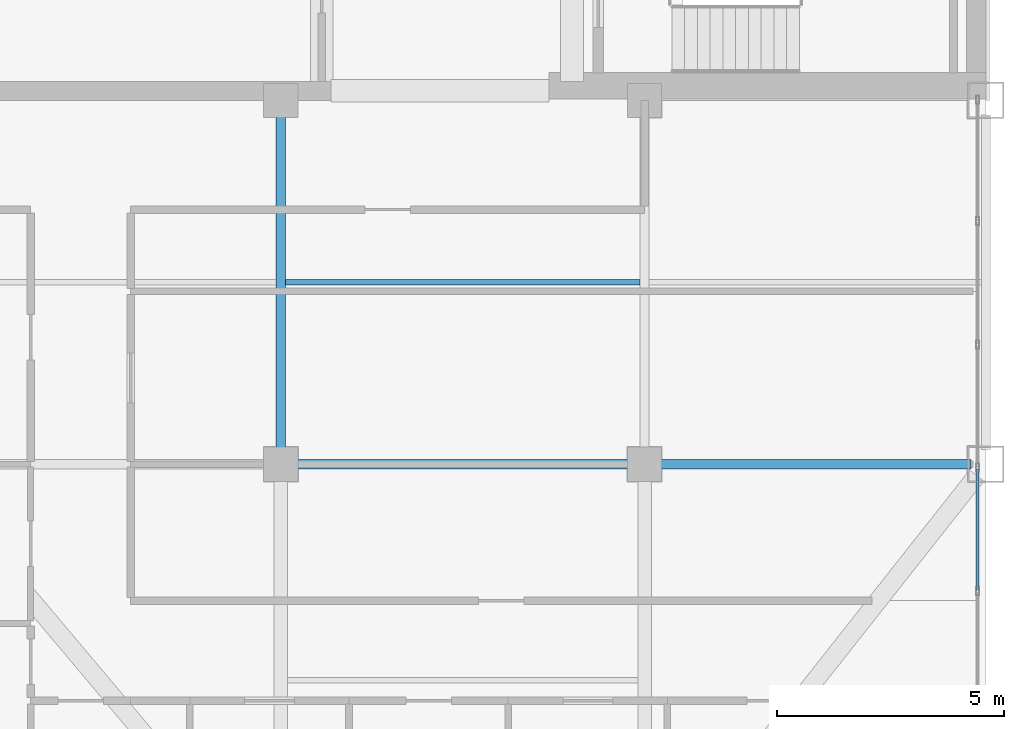
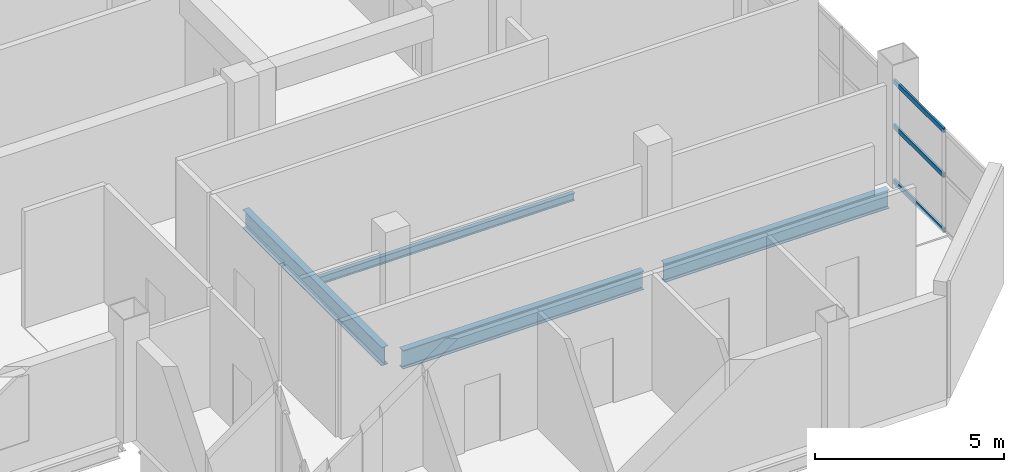
# One storey, part 3 of 13: 4 beams, 3 members, 1 element without a shape of its own.
"""IFC4 building model written with IfcOpenShell, lengths in metres."""

import ifcopenshell
import ifcopenshell.guid

model = None  # the IFC model being written
_history = None  # IfcOwnerHistory: only IFC2X3 demands one
_inside = {}  # id of a spatial element -> (the spatial element, [elements in it])
_under = {}  # id of a project, library or spatial element -> (it, [spatial elements below it])
_declared = {}  # id of a project -> (the project, [libraries it declares])
_typed = {}  # id of a type object -> (the type object, [elements of that type])
_made_of = {}  # id of a material, layer set ... -> (it, [elements and type objects made of it])


def new_model(schema):
    """Start an empty IFC model of exactly this schema.

    Asked for "IFC4X3", IfcOpenShell would pick the latest addendum, in which some entities
    have other attributes; the version numbers below select the first issue.
    IFC2X3 requires an IfcOwnerHistory on every rooted entity: one is made here for all.
    """
    global model, _history
    if schema == "IFC4X3":
        model = ifcopenshell.file(schema_version=(4, 3, 0, 0))
    else:
        model = ifcopenshell.file(schema=schema)
    _inside.clear()
    _under.clear()
    _declared.clear()
    _typed.clear()
    _made_of.clear()
    _history = None
    if model.schema == "IFC2X3":
        org = make("IfcOrganization", Name="unknown")
        user = make(
            "IfcPersonAndOrganization",
            ThePerson=make("IfcPerson", FamilyName="unknown"),
            TheOrganization=org,
        )
        app = make(
            "IfcApplication",
            ApplicationDeveloper=org,
            Version="unknown",
            ApplicationFullName="unknown",
            ApplicationIdentifier="unknown",
        )
        _history = make(
            "IfcOwnerHistory",
            OwningUser=user,
            OwningApplication=app,
            ChangeAction="ADDED",
            CreationDate=0,
        )
    return model


def make(cls, **values):
    """One entity of the class cls with the attributes given. An attribute that is None is left unset."""
    return model.create_entity(
        cls, **{name: value for name, value in values.items() if value is not None}
    )


def rooted(cls, **values):
    """An entity with a GlobalId (a new one), such as an element, a storey or a relation."""
    return make(cls, GlobalId=ifcopenshell.guid.new(), OwnerHistory=_history, **values)


def si_unit(unit_type, name, prefix=None):
    """IfcSIUnit, for example si_unit("LENGTHUNIT", "METRE", prefix="MILLI")."""
    return make("IfcSIUnit", UnitType=unit_type, Prefix=prefix, Name=name)


def assignment(units):
    """IfcUnitAssignment: the units of a project."""
    return None if units is None else make("IfcUnitAssignment", Units=units)


def point(xyz):
    """IfcCartesianPoint."""
    return None if xyz is None else make("IfcCartesianPoint", Coordinates=xyz)


def direction(xyz):
    """IfcDirection."""
    return None if xyz is None else make("IfcDirection", DirectionRatios=xyz)


def frame(location, z_axis=None, x_axis=None):
    """IfcAxis2Placement3D, a coordinate frame: its origin and axes. An axis left out is left unset."""
    return make(
        "IfcAxis2Placement3D",
        Location=point(location),
        Axis=direction(z_axis),
        RefDirection=direction(x_axis),
    )


def frame_2d(location, x_axis=None):
    """IfcAxis2Placement2D, a coordinate frame in the plane: its origin and x axis."""
    return make(
        "IfcAxis2Placement2D", Location=point(location), RefDirection=direction(x_axis)
    )


def origin():
    """The frame at (0, 0, 0) with its axes left unset."""
    return frame((0.0, 0.0, 0.0))


def origin_2d():
    """The frame at (0, 0) in the plane with its x axis left unset."""
    return frame_2d((0.0, 0.0))


def place(relative_to, where):
    """IfcLocalPlacement: puts the frame where relative to a parent placement (None: the world)."""
    return make(
        "IfcLocalPlacement", PlacementRelTo=relative_to, RelativePlacement=where
    )


def context(
    kind, dimensions, precision=None, world=None, true_north=None, identifier=None
):
    """IfcGeometricRepresentationContext, for example the 3D "Model" context."""
    return make(
        "IfcGeometricRepresentationContext",
        ContextIdentifier=identifier,
        ContextType=kind,
        CoordinateSpaceDimension=dimensions,
        Precision=precision,
        WorldCoordinateSystem=world,
        TrueNorth=true_north,
    )


def subcontext(parent, identifier, kind, view, scale=None):
    """IfcGeometricRepresentationSubContext, for example "Body" below "Model"."""
    return make(
        "IfcGeometricRepresentationSubContext",
        ContextIdentifier=identifier,
        ContextType=kind,
        ParentContext=parent,
        TargetScale=scale,
        TargetView=view,
    )


def project(units=None, contexts=None):
    """IfcProject with its units and contexts."""
    return rooted(
        "IfcProject",
        Name="project",
        RepresentationContexts=contexts,
        UnitsInContext=assignment(units),
    )


def spatial(cls, under=None, at=None, **own):
    """A site, building, storey or space (cls), placed at a placement, below another one or the project."""
    s = rooted(cls, ObjectPlacement=at, **own)
    if under is not None:
        _under.setdefault(under.id(), (under, []))[1].append(s)
    return s


def profile(cls, at=None, kind="AREA", **sizes):
    """A parametric profile (cls). Its sizes go by their IFC names, for example OverallWidth=200.0."""
    return make(cls, ProfileType=kind, Position=at, **sizes)


def hollow_rectangle(**sizes):
    """IfcRectangleHollowProfileDef."""
    return profile("IfcRectangleHollowProfileDef", **sizes)


def i_section(**sizes):
    """IfcIShapeProfileDef."""
    return profile("IfcIShapeProfileDef", **sizes)


def extrude(swept, where, along, depth):
    """IfcExtrudedAreaSolid: the profile swept, set in the frame where, extruded along a direction by depth."""
    return make(
        "IfcExtrudedAreaSolid",
        SweptArea=swept,
        Position=where,
        ExtrudedDirection=direction(along),
        Depth=depth,
    )


def shape(context_of_items, identifier, shape_type, items):
    """IfcShapeRepresentation: the items that make up one representation, for example the "Body"."""
    return make(
        "IfcShapeRepresentation",
        ContextOfItems=context_of_items,
        RepresentationIdentifier=identifier,
        RepresentationType=shape_type,
        Items=items,
    )


def material(Name=None, Category=None):
    """IfcMaterial."""
    return make("IfcMaterial", Name=Name, Category=Category)


def layer(
    of_material, thickness, ventilated=None, Name=None, Category=None, Priority=None
):
    """IfcMaterialLayer: one layer of a wall or slab, of a material (None: an air gap)."""
    return make(
        "IfcMaterialLayer",
        Material=of_material,
        LayerThickness=thickness,
        IsVentilated=ventilated,
        Name=Name,
        Category=Category,
        Priority=Priority,
    )


def layer_set(layers, Name=None):
    """IfcMaterialLayerSet."""
    return make("IfcMaterialLayerSet", MaterialLayers=layers, LayerSetName=Name)


def material_profile(
    of_material, cross_section, Name=None, Category=None, Priority=None
):
    """IfcMaterialProfile: a cross section and its material."""
    return make(
        "IfcMaterialProfile",
        Name=Name,
        Material=of_material,
        Profile=cross_section,
        Priority=Priority,
        Category=Category,
    )


def profile_set(profiles, Name=None, composite=None):
    """IfcMaterialProfileSet."""
    return make(
        "IfcMaterialProfileSet",
        Name=Name,
        MaterialProfiles=profiles,
        CompositeProfile=composite,
    )


def made_of(thing, what):
    """Note that an element or type object is made of a material, layer set ...; save() writes the relation."""
    if what is not None:
        _made_of.setdefault(what.id(), (what, []))[1].append(thing)
    return thing


def type_object(cls, material=None, **own):
    """A type object (cls), such as IfcWallType, which elements share."""
    return made_of(rooted(cls, **own), material)


def element(
    cls,
    number,
    at=None,
    inside=None,
    cuts=None,
    type_object=None,
    material=None,
    context=None,
    identifier="Body",
    shape_type=None,
    held_by="IfcProductDefinitionShape",
    body=None,
    shapes=None,
    **own,
):
    """One element of the class cls, such as IfcWall. Its Tag is "e" and its number.

    at: its placement. inside: the storey or other place that contains it. cuts: it is an
    opening in that element (IfcRelVoidsElement). A single representation is given by context,
    identifier, shape_type and body (its items); several are given by shapes. held_by: the class
    of the entity that holds the representations. save() writes the other relations.
    """
    e = rooted(cls, Tag="e%d" % number, ObjectPlacement=at, **own)
    if body is not None:
        shapes = [shape(context, identifier, shape_type, body)]
    if shapes is not None:
        e.Representation = make(held_by, Representations=shapes)
    if inside is not None:
        _inside.setdefault(inside.id(), (inside, []))[1].append(e)
    if cuts is not None:
        rooted(
            "IfcRelVoidsElement", RelatingBuildingElement=cuts, RelatedOpeningElement=e
        )
    if type_object is not None:
        _typed.setdefault(type_object.id(), (type_object, []))[1].append(e)
    return made_of(e, material)


def aggregate(whole, parts):
    """IfcRelAggregates: a whole, such as a stair, and the parts it consists of."""
    return rooted("IfcRelAggregates", RelatingObject=whole, RelatedObjects=parts)


def save(model, path):
    """Write the relations noted so far, then the file.

    IfcRelAggregates (storeys below a building ...), IfcRelContainedInSpatialStructure (elements
    in a storey), IfcRelDefinesByType, IfcRelAssociatesMaterial and IfcRelDeclares: one each for
    every whole, place, type object, material and project.
    """
    for whole, parts in _under.values():
        aggregate(whole, parts)
    for where, things in _inside.values():
        rooted(
            "IfcRelContainedInSpatialStructure",
            RelatedElements=things,
            RelatingStructure=where,
        )
    for kind, things in _typed.values():
        rooted("IfcRelDefinesByType", RelatedObjects=things, RelatingType=kind)
    for what, things in _made_of.values():
        rooted("IfcRelAssociatesMaterial", RelatedObjects=things, RelatingMaterial=what)
    for by, libraries in _declared.values():
        rooted("IfcRelDeclares", RelatingContext=by, RelatedDefinitions=libraries)
    model.write(path)


model = new_model("IFC4")

# Units and contexts
model_context = context("Model", 3, precision=1e-05, world=origin(), true_north=direction((0.0, 1.0)))
body_context = subcontext(model_context, "Body", "Model", "MODEL_VIEW")
ifc_project = project(units=[si_unit("LENGTHUNIT", "METRE"), si_unit("AREAUNIT", "SQUARE_METRE"), si_unit("VOLUMEUNIT", "CUBIC_METRE"), si_unit("PLANEANGLEUNIT", "RADIAN"), si_unit("MASSUNIT", "GRAM", prefix="KILO")], contexts=[model_context])

# Site, building, storey
site_placement = place(None, origin())
site = spatial("IfcSite", under=ifc_project, at=site_placement, CompositionType="ELEMENT")
building_placement = place(site_placement, origin())
building = spatial("IfcBuilding", under=site, at=building_placement, Name="Qianrong Seaharbour Tower", CompositionType="ELEMENT")
storey_placement = place(building_placement, frame((0.0, 0.0, 299.199951171875)))
storey = spatial("IfcBuildingStorey", under=building, at=storey_placement, Name="L72", CompositionType="ELEMENT", Elevation=299.199951171875)

# Beams
ifc_material_1 = material(Name="Structural steel SN490B", Category="steel")
ifc_material_profile_1 = material_profile(ifc_material_1, i_section(OverallWidth=0.199951171875, OverallDepth=0.60009765625, WebThickness=0.010986328125, FlangeThickness=0.01708984375, FilletRadius=0.02197265625, at=origin_2d()), Name="H600x200x11x17")
ifc_profile_set_1 = profile_set([ifc_material_profile_1], Name="Structural steel SN490B")
beam_type_1 = type_object("IfcBeamType", Name="BM-G-600", PredefinedType="BEAM", material=ifc_profile_set_1)
beam_1_placement = place(storey_placement, frame((48.820068359375, 28.0, -0.514892578125), z_axis=(1.0, 0.0, 0.0), x_axis=(0.0, 1.0, 0.0)))
element("IfcBeam", 1, at=beam_1_placement, inside=storey, type_object=beam_type_1, Name="L72 Primary Girder GE G7-G8", PredefinedType="BEAM", context=body_context, shape_type="SweptSolid", body=[
    extrude(i_section(OverallWidth=0.199951171875, OverallDepth=0.60009765625, WebThickness=0.010986328125, FlangeThickness=0.01708984375, FilletRadius=0.02197265625, at=origin_2d()), origin(), (0.0, 0.0, 1.0), 7.35986328125),
])
beam_2_placement = place(storey_placement, frame((56.820068359375, 28.0, -0.514892578125), z_axis=(1.0, 0.0, 0.0), x_axis=(0.0, 1.0, 0.0)))
element("IfcBeam", 2, at=beam_2_placement, inside=storey, type_object=beam_type_1, Name="L72 Primary Girder GE G8-G9", PredefinedType="BEAM", context=body_context, shape_type="SweptSolid", body=[
    extrude(i_section(OverallWidth=0.199951171875, OverallDepth=0.60009765625, WebThickness=0.010986328125, FlangeThickness=0.01708984375, FilletRadius=0.02197265625, at=origin_2d()), origin(), (0.0, 0.0, 1.0), 6.85986328125),
])
beam_3_placement = place(storey_placement, frame((48.5, 28.320068359375, -0.514892578125), z_axis=(0.0, 1.0, 0.0), x_axis=(-1.0, 0.0, 0.0)))
element("IfcBeam", 3, at=beam_3_placement, inside=storey, type_object=beam_type_1, Name="L72 Primary Girder G7 GE-GF", PredefinedType="BEAM", context=body_context, shape_type="SweptSolid", body=[
    extrude(i_section(OverallWidth=0.199951171875, OverallDepth=0.60009765625, WebThickness=0.010986328125, FlangeThickness=0.01708984375, FilletRadius=0.02197265625, at=origin_2d()), origin(), (0.0, 0.0, 1.0), 7.35986328125),
])
ifc_material_2 = material(Name="Structural steel SN400B", Category="steel")
ifc_material_profile_2 = material_profile(ifc_material_2, i_section(OverallWidth=0.125, OverallDepth=0.25, WebThickness=0.006103515625, FlangeThickness=0.009033203125, FilletRadius=0.011962890625, at=origin_2d()), Name="H250x125x6x9")
ifc_profile_set_2 = profile_set([ifc_material_profile_2], Name="Structural steel SN400B")
beam_type_2 = type_object("IfcBeamType", Name="BM-J-250", PredefinedType="JOIST", material=ifc_profile_set_2)
beam_4_placement = place(storey_placement, frame((48.60009765625, 32.0, -0.33984375), z_axis=(1.0, 0.0, 0.0), x_axis=(0.0, 1.0, 0.0)))
element("IfcBeam", 4, at=beam_4_placement, inside=storey, type_object=beam_type_2, Name="L72 Composite Floor Joist G7-G8/GE-GF", PredefinedType="JOIST", context=body_context, shape_type="SweptSolid", body=[
    extrude(i_section(OverallWidth=0.125, OverallDepth=0.25, WebThickness=0.006103515625, FlangeThickness=0.009033203125, FilletRadius=0.011962890625, at=origin_2d()), origin(), (0.0, 0.0, 1.0), 7.7998046875),
])

# Curtain wall, members
ifc_material_3 = material(Name="Anodised aluminium 6063-T6 and laminated low-e glass", Category="aluminium")
ifc_layer = layer(ifc_material_3, 0.195068359375)
ifc_layer_set = layer_set([ifc_layer], Name="Anodised aluminium 6063-T6 and laminated low-e glass")
curtain_wall_type = type_object("IfcCurtainWallType", Name="CW-SYS-3", PredefinedType="NOTDEFINED", material=ifc_layer_set)
curtain_wall_placement = place(storey_placement, origin())
curtain_wall = element("IfcCurtainWall", 5, at=curtain_wall_placement, inside=storey, type_object=curtain_wall_type, Name="L72 Sky-Garden Wintergarden Curtain Wall EAST_WING", PredefinedType="NOTDEFINED")
ifc_material_4 = material(Name="Extruded aluminium 6063-T6", Category="aluminium")
ifc_material_profile_3 = material_profile(ifc_material_4, hollow_rectangle(XDim=0.06494140625, YDim=0.14990234375, WallThickness=0.00390625, at=origin_2d()), Name="ALU-TRN-150x65x4")
ifc_profile_set_3 = profile_set([ifc_material_profile_3], Name="Extruded aluminium 6063-T6")
member_type = type_object("IfcMemberType", Name="CW-TRN-150", PredefinedType="USERDEFINED", material=ifc_profile_set_3)
member_1_placement = place(storey_placement, frame((63.820068359375, 27.885009765625, 0.032470703125), z_axis=(0.0, -1.0, 0.0), x_axis=(1.0, 0.0, 0.0)))
member_1 = element("IfcMember", 6, at=member_1_placement, type_object=member_type, Name="CW-3 transom 4.1", ObjectType="TRANSOM", PredefinedType="USERDEFINED", context=body_context, shape_type="SweptSolid", body=[
    extrude(hollow_rectangle(XDim=0.06494140625, YDim=0.14990234375, WallThickness=0.00390625, at=origin_2d()), origin(), (0.0, 0.0, 1.0), 2.639892578125),
])
member_2_placement = place(storey_placement, frame((63.820068359375, 27.885009765625, 1.812255859375), z_axis=(0.0, -1.0, 0.0), x_axis=(1.0, 0.0, 0.0)))
member_2 = element("IfcMember", 7, at=member_2_placement, type_object=member_type, Name="CW-3 transom 4.2", ObjectType="TRANSOM", PredefinedType="USERDEFINED", context=body_context, shape_type="SweptSolid", body=[
    extrude(hollow_rectangle(XDim=0.06494140625, YDim=0.14990234375, WallThickness=0.00390625, at=origin_2d()), origin(), (0.0, 0.0, 1.0), 2.639892578125),
])
member_3_placement = place(storey_placement, frame((63.820068359375, 27.885009765625, 3.262451171875), z_axis=(0.0, -1.0, 0.0), x_axis=(1.0, 0.0, 0.0)))
member_3 = element("IfcMember", 8, at=member_3_placement, type_object=member_type, Name="CW-3 transom 4.3", ObjectType="TRANSOM", PredefinedType="USERDEFINED", context=body_context, shape_type="SweptSolid", body=[
    extrude(hollow_rectangle(XDim=0.06494140625, YDim=0.14990234375, WallThickness=0.00390625, at=origin_2d()), origin(), (0.0, 0.0, 1.0), 2.639892578125),
])
aggregate(curtain_wall, [member_1, member_2, member_3])

save(model, "model.ifc")
